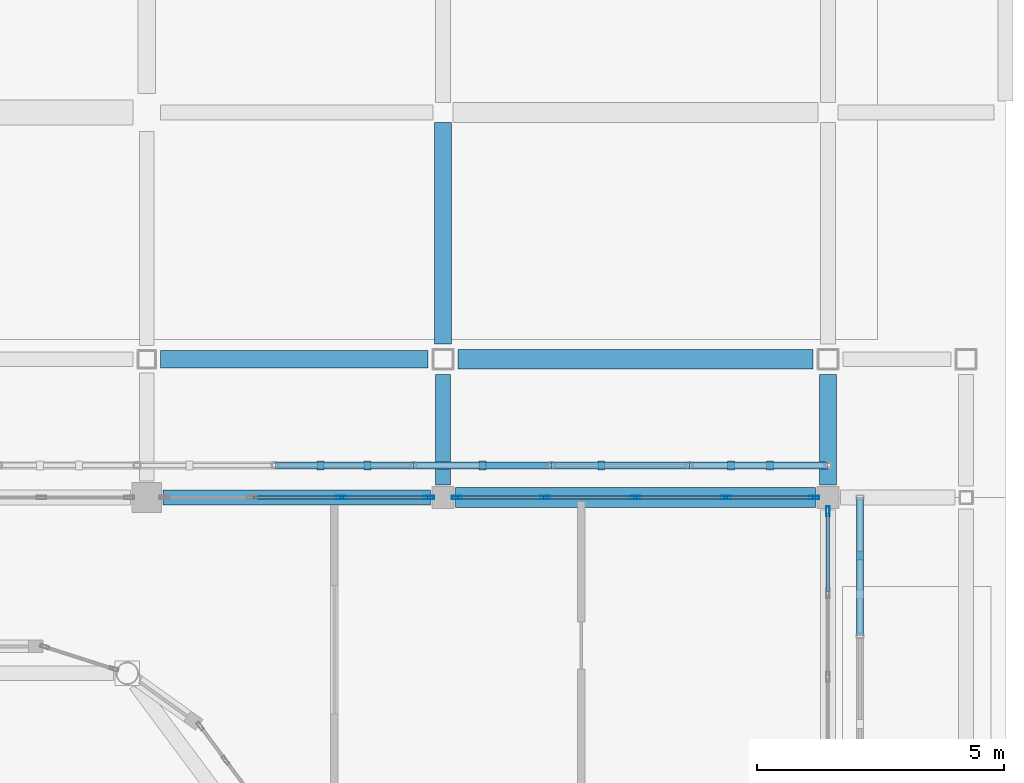
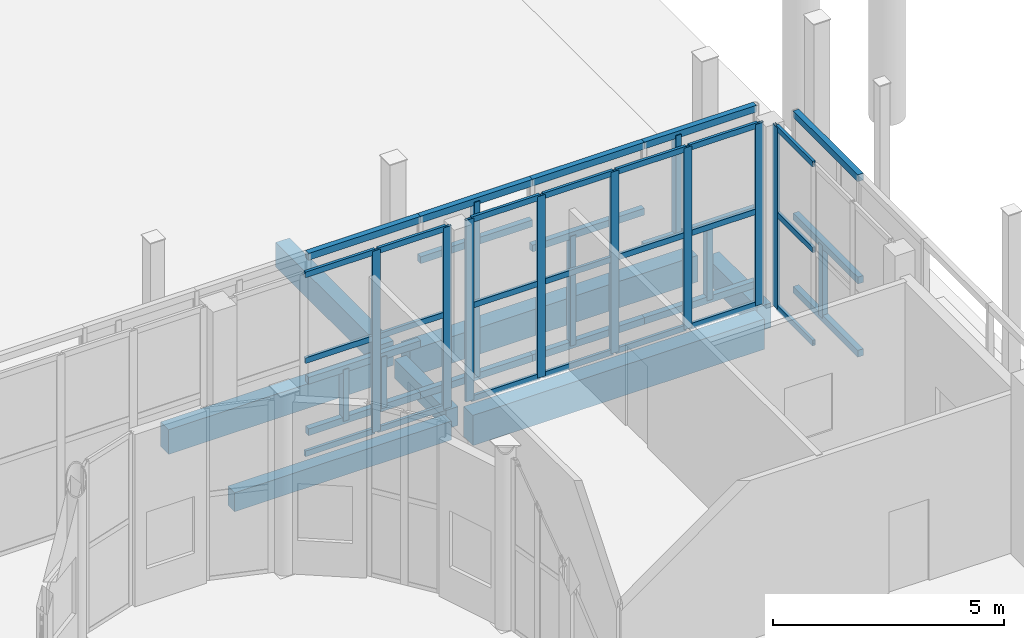
# One storey, part 48 of 91: 51 members, 7 beams, 3 elements without a shape of their own.
"""IFC4 building model written with IfcOpenShell, lengths in metres."""

from ifc_helpers import new_model, si_unit, direction, frame, origin, origin_2d, place, context, subcontext, project, spatial, rectangle, hollow_rectangle, extrude, material, layer, layer_set, material_profile, profile_set, type_object, element, aggregate, save


model = new_model("IFC4")

# Units and contexts
model_context = context("Model", 3, precision=1e-05, world=origin(), true_north=direction((0.0, 1.0)))
body_context = subcontext(model_context, "Body", "Model", "MODEL_VIEW")
ifc_project = project(units=[si_unit("LENGTHUNIT", "METRE"), si_unit("AREAUNIT", "SQUARE_METRE"), si_unit("VOLUMEUNIT", "CUBIC_METRE"), si_unit("PLANEANGLEUNIT", "RADIAN"), si_unit("MASSUNIT", "GRAM", prefix="KILO")], contexts=[model_context])

# Site, building, storey
site_placement = place(None, origin())
site = spatial("IfcSite", under=ifc_project, at=site_placement, CompositionType="ELEMENT")
building_placement = place(site_placement, origin())
building = spatial("IfcBuilding", under=site, at=building_placement, Name="Vinh Khe Railworks Police Headquarters", CompositionType="ELEMENT")
storey_placement = place(building_placement, origin())
storey = spatial("IfcBuildingStorey", under=building, at=storey_placement, Name="L00", CompositionType="ELEMENT", Elevation=0.0)

# Members
ifc_material_1 = material(Name="Salvaged ironwood timber", Category="wood")
ifc_material_profile_1 = material_profile(ifc_material_1, rectangle(XDim=0.139892578125, YDim=0.179931640625, at=origin_2d()), Name="TIMBER 140x180")
ifc_profile_set_1 = profile_set([ifc_material_profile_1], Name="Salvaged ironwood timber")
member_type_1 = type_object("IfcMemberType", Name="MEM-QUILT-STILE", PredefinedType="CHORD", material=ifc_profile_set_1)
for number, where, z_axis, x_axis, name in (
    (1, (48.800048828125, 59.449951171875, 4.719970703125), (1.0, 0.0, 0.0), (0.0, 1.0, 0.0), "Salvaged Timber Quilt Transom N-L00-08-TOP"),
    (2, (48.800048828125, 59.449951171875, 0.080078125), (1.0, 0.0, 0.0), (0.0, 1.0, 0.0), "Salvaged Timber Quilt Transom N-L00-08-BOT"),
    (3, (48.800048828125, 59.449951171875, 1.43994140625), (1.0, 0.0, 0.0), (0.0, 1.0, 0.0), "Salvaged Timber Quilt Transom N-L00-08-M1"),
):
    element("IfcMember", number, at=place(storey_placement, frame(where, z_axis=z_axis, x_axis=x_axis)), inside=storey, type_object=member_type_1, Name=name, PredefinedType="CHORD", context=body_context, shape_type="SweptSolid", body=[
        extrude(rectangle(XDim=0.139892578125, YDim=0.179931640625, at=origin_2d()), origin(), (0.0, 0.0, 1.0), 2.800048828125),
    ])
for number, where, z_axis, x_axis, name in (
    (4, (49.72412109375, 59.449951171875, 0.080078125), (0.0, 0.0, 1.0), (1.0, 0.0, 0.0), "Salvaged Timber Quilt Stile N-L00-08-V1"),
    (5, (50.676025390625, 59.449951171875, 0.080078125), (0.0, 0.0, 1.0), (1.0, 0.0, 0.0), "Salvaged Timber Quilt Stile N-L00-08-V2"),
):
    element("IfcMember", number, at=place(storey_placement, frame(where, z_axis=z_axis, x_axis=x_axis)), inside=storey, type_object=member_type_1, Name=name, PredefinedType="POST", context=body_context, shape_type="SweptSolid", body=[
        extrude(rectangle(XDim=0.139892578125, YDim=0.179931640625, at=origin_2d()), origin(), (0.0, 0.0, 1.0), 1.35986328125),
    ])
for number, where, z_axis, x_axis, name in (
    (6, (51.60009765625, 59.449951171875, 4.719970703125), (1.0, 0.0, 0.0), (0.0, 1.0, 0.0), "Salvaged Timber Quilt Transom N-L00-09-TOP"),
    (7, (51.60009765625, 59.449951171875, 0.080078125), (1.0, 0.0, 0.0), (0.0, 1.0, 0.0), "Salvaged Timber Quilt Transom N-L00-09-BOT"),
    (8, (51.60009765625, 59.449951171875, 3.64794921875), (1.0, 0.0, 0.0), (0.0, 1.0, 0.0), "Salvaged Timber Quilt Transom N-L00-09-M1"),
):
    element("IfcMember", number, at=place(storey_placement, frame(where, z_axis=z_axis, x_axis=x_axis)), inside=storey, type_object=member_type_1, Name=name, PredefinedType="CHORD", context=body_context, shape_type="SweptSolid", body=[
        extrude(rectangle(XDim=0.139892578125, YDim=0.179931640625, at=origin_2d()), origin(), (0.0, 0.0, 1.0), 2.7998046875),
    ])
member_1_placement = place(storey_placement, frame((53.0, 59.449951171875, 0.080078125), z_axis=(0.0, 0.0, 1.0), x_axis=(1.0, 0.0, 0.0)))
element("IfcMember", 9, at=member_1_placement, inside=storey, type_object=member_type_1, Name="Salvaged Timber Quilt Stile N-L00-09-V1", PredefinedType="POST", context=body_context, shape_type="SweptSolid", body=[
    extrude(rectangle(XDim=0.139892578125, YDim=0.179931640625, at=origin_2d()), origin(), (0.0, 0.0, 1.0), 4.639892578125),
])
for number, where, z_axis, x_axis, name in (
    (10, (54.39990234375, 59.449951171875, 4.719970703125), (1.0, 0.0, 0.0), (0.0, 1.0, 0.0), "Salvaged Timber Quilt Transom N-L00-10-TOP"),
    (11, (54.39990234375, 59.449951171875, 0.080078125), (1.0, 0.0, 0.0), (0.0, 1.0, 0.0), "Salvaged Timber Quilt Transom N-L00-10-BOT"),
    (12, (54.39990234375, 59.449951171875, 2.97607421875), (1.0, 0.0, 0.0), (0.0, 1.0, 0.0), "Salvaged Timber Quilt Transom N-L00-10-M1"),
):
    element("IfcMember", number, at=place(storey_placement, frame(where, z_axis=z_axis, x_axis=x_axis)), inside=storey, type_object=member_type_1, Name=name, PredefinedType="CHORD", context=body_context, shape_type="SweptSolid", body=[
        extrude(rectangle(XDim=0.139892578125, YDim=0.179931640625, at=origin_2d()), origin(), (0.0, 0.0, 1.0), 2.800048828125),
    ])
member_2_placement = place(storey_placement, frame((55.407958984375, 59.449951171875, 0.080078125), z_axis=(0.0, 0.0, 1.0), x_axis=(1.0, 0.0, 0.0)))
element("IfcMember", 13, at=member_2_placement, inside=storey, type_object=member_type_1, Name="Salvaged Timber Quilt Stile N-L00-10-V1", PredefinedType="POST", context=body_context, shape_type="SweptSolid", body=[
    extrude(rectangle(XDim=0.139892578125, YDim=0.179931640625, at=origin_2d()), origin(), (0.0, 0.0, 1.0), 2.89599609375),
])
for number, where, z_axis, x_axis, name in (
    (14, (57.199951171875, 59.449951171875, 4.719970703125), (1.0, 0.0, 0.0), (0.0, 1.0, 0.0), "Salvaged Timber Quilt Transom N-L00-11-TOP"),
    (15, (57.199951171875, 59.449951171875, 0.080078125), (1.0, 0.0, 0.0), (0.0, 1.0, 0.0), "Salvaged Timber Quilt Transom N-L00-11-BOT"),
    (16, (57.199951171875, 59.449951171875, 2.01611328125), (1.0, 0.0, 0.0), (0.0, 1.0, 0.0), "Salvaged Timber Quilt Transom N-L00-11-M1"),
):
    element("IfcMember", number, at=place(storey_placement, frame(where, z_axis=z_axis, x_axis=x_axis)), inside=storey, type_object=member_type_1, Name=name, PredefinedType="CHORD", context=body_context, shape_type="SweptSolid", body=[
        extrude(rectangle(XDim=0.139892578125, YDim=0.179931640625, at=origin_2d()), origin(), (0.0, 0.0, 1.0), 2.800048828125),
    ])
member_3_placement = place(storey_placement, frame((58.823974609375, 59.449951171875, 0.080078125), z_axis=(0.0, 0.0, 1.0), x_axis=(1.0, 0.0, 0.0)))
element("IfcMember", 17, at=member_3_placement, inside=storey, type_object=member_type_1, Name="Salvaged Timber Quilt Stile N-L00-11-V1", PredefinedType="POST", context=body_context, shape_type="SweptSolid", body=[
    extrude(rectangle(XDim=0.139892578125, YDim=0.179931640625, at=origin_2d()), origin(), (0.0, 0.0, 1.0), 1.93603515625),
])
member_4_placement = place(storey_placement, frame((58.0400390625, 59.449951171875, 2.01611328125), z_axis=(0.0, 0.0, 1.0), x_axis=(1.0, 0.0, 0.0)))
element("IfcMember", 18, at=member_4_placement, inside=storey, type_object=member_type_1, Name="Salvaged Timber Quilt Stile N-L00-11-V2", PredefinedType="POST", context=body_context, shape_type="SweptSolid", body=[
    extrude(rectangle(XDim=0.139892578125, YDim=0.179931640625, at=origin_2d()), origin(), (0.0, 0.0, 1.0), 2.703857421875),
])
for number, where, z_axis, x_axis, name in (
    (19, (60.64990234375, 56.0, 4.719970703125), (0.0, 1.0, 0.0), (-1.0, 0.0, 0.0), "Salvaged Timber Quilt Transom E-L00-11-TOP"),
    (20, (60.64990234375, 56.0, 0.080078125), (0.0, 1.0, 0.0), (-1.0, 0.0, 0.0), "Salvaged Timber Quilt Transom E-L00-11-BOT"),
    (21, (60.64990234375, 56.0, 2.01611328125), (0.0, 1.0, 0.0), (-1.0, 0.0, 0.0), "Salvaged Timber Quilt Transom E-L00-11-M1"),
):
    element("IfcMember", number, at=place(storey_placement, frame(where, z_axis=z_axis, x_axis=x_axis)), inside=storey, type_object=member_type_1, Name=name, PredefinedType="CHORD", context=body_context, shape_type="SweptSolid", body=[
        extrude(rectangle(XDim=0.139892578125, YDim=0.179931640625, at=origin_2d()), origin(), (0.0, 0.0, 1.0), 2.800048828125),
    ])
member_5_placement = place(storey_placement, frame((60.64990234375, 57.6240234375, 0.080078125), z_axis=(0.0, 0.0, 1.0), x_axis=(1.0, 0.0, 0.0)))
element("IfcMember", 22, at=member_5_placement, inside=storey, type_object=member_type_1, Name="Salvaged Timber Quilt Stile E-L00-11-V1", PredefinedType="POST", context=body_context, shape_type="SweptSolid", body=[
    extrude(rectangle(XDim=0.139892578125, YDim=0.179931640625, at=origin_2d()), origin(), (0.0, 0.0, 1.0), 1.93603515625),
])

# Curtain wall, members
ifc_material_2 = material(Name="Anodised aluminium and low-iron glass", Category="aluminium")
ifc_layer = layer(ifc_material_2, 0.179931640625)
ifc_layer_set = layer_set([ifc_layer], Name="Anodised aluminium and low-iron glass")
curtain_wall_type = type_object("IfcCurtainWallType", Name="CW-CUBE-UNIT", PredefinedType="USERDEFINED", material=ifc_layer_set)
curtain_wall_1_placement = place(storey_placement, origin())
curtain_wall_1 = element("IfcCurtainWall", 23, at=curtain_wall_1_placement, inside=storey, type_object=curtain_wall_type, Name="Entrance Hall Curtain Wall L00 N-4", ObjectType="UNITISED GLAZING", PredefinedType="USERDEFINED")
ifc_material_3 = material(Name="Anodised aluminium 6063-T6", Category="aluminium")
ifc_material_profile_2 = material_profile(ifc_material_3, hollow_rectangle(XDim=0.070068359375, YDim=0.199951171875, WallThickness=0.0048828125, at=origin_2d()), Name="CW-M 70x200x5")
ifc_profile_set_2 = profile_set([ifc_material_profile_2], Name="Anodised aluminium 6063-T6")
member_type_2 = type_object("IfcMemberType", Name="MULL-CWM-03", PredefinedType="MULLION", material=ifc_profile_set_2)
member_6_placement = place(storey_placement, frame((50.143310546875, 58.800048828125, 0.0), z_axis=(0.0, 0.0, 1.0), x_axis=(0.0, 1.0, 0.0)))
member_6 = element("IfcMember", 24, at=member_6_placement, type_object=member_type_2, Name="CW-01 mullion 3", PredefinedType="MULLION", context=body_context, shape_type="SweptSolid", body=[
    extrude(hollow_rectangle(XDim=0.070068359375, YDim=0.199951171875, WallThickness=0.0048828125, at=origin_2d()), origin(), (0.0, 0.0, 1.0), 4.800048828125),
])
member_7_placement = place(storey_placement, frame((51.919921875, 58.800048828125, 0.0), z_axis=(0.0, 0.0, 1.0), x_axis=(0.0, 1.0, 0.0)))
member_7 = element("IfcMember", 25, at=member_7_placement, type_object=member_type_2, Name="CW-01 mullion 4", PredefinedType="MULLION", context=body_context, shape_type="SweptSolid", body=[
    extrude(hollow_rectangle(XDim=0.070068359375, YDim=0.199951171875, WallThickness=0.0048828125, at=origin_2d()), origin(), (0.0, 0.0, 1.0), 4.800048828125),
])

curtain_wall_2_placement = place(storey_placement, origin())
curtain_wall_2 = element("IfcCurtainWall", 26, at=curtain_wall_2_placement, inside=storey, type_object=curtain_wall_type, Name="Entrance Hall Curtain Wall L00 N-5", ObjectType="UNITISED GLAZING", PredefinedType="USERDEFINED")
member_8_placement = place(storey_placement, frame((52.47998046875, 58.800048828125, 0.0), z_axis=(0.0, 0.0, 1.0), x_axis=(0.0, 1.0, 0.0)))
member_8 = element("IfcMember", 27, at=member_8_placement, type_object=member_type_2, Name="CW-01 mullion 1", PredefinedType="MULLION", context=body_context, shape_type="SweptSolid", body=[
    extrude(hollow_rectangle(XDim=0.070068359375, YDim=0.199951171875, WallThickness=0.0048828125, at=origin_2d()), origin(), (0.0, 0.0, 1.0), 4.800048828125),
])
member_9_placement = place(storey_placement, frame((54.2724609375, 58.800048828125, 0.0), z_axis=(0.0, 0.0, 1.0), x_axis=(0.0, 1.0, 0.0)))
member_9 = element("IfcMember", 28, at=member_9_placement, type_object=member_type_2, Name="CW-01 mullion 2", PredefinedType="MULLION", context=body_context, shape_type="SweptSolid", body=[
    extrude(hollow_rectangle(XDim=0.070068359375, YDim=0.199951171875, WallThickness=0.0048828125, at=origin_2d()), origin(), (0.0, 0.0, 1.0), 4.800048828125),
])
member_10_placement = place(storey_placement, frame((56.10009765625, 58.800048828125, 0.0), z_axis=(0.0, 0.0, 1.0), x_axis=(0.0, 1.0, 0.0)))
member_10 = element("IfcMember", 29, at=member_10_placement, type_object=member_type_2, Name="CW-01 mullion 3", PredefinedType="MULLION", context=body_context, shape_type="SweptSolid", body=[
    extrude(hollow_rectangle(XDim=0.070068359375, YDim=0.199951171875, WallThickness=0.0048828125, at=origin_2d()), origin(), (0.0, 0.0, 1.0), 4.800048828125),
])
member_11_placement = place(storey_placement, frame((57.927490234375, 58.800048828125, 0.0), z_axis=(0.0, 0.0, 1.0), x_axis=(0.0, 1.0, 0.0)))
member_11 = element("IfcMember", 30, at=member_11_placement, type_object=member_type_2, Name="CW-01 mullion 4", PredefinedType="MULLION", context=body_context, shape_type="SweptSolid", body=[
    extrude(hollow_rectangle(XDim=0.070068359375, YDim=0.199951171875, WallThickness=0.0048828125, at=origin_2d()), origin(), (0.0, 0.0, 1.0), 4.800048828125),
])
member_12_placement = place(storey_placement, frame((59.719970703125, 58.800048828125, 0.0), z_axis=(0.0, 0.0, 1.0), x_axis=(0.0, 1.0, 0.0)))
member_12 = element("IfcMember", 31, at=member_12_placement, type_object=member_type_2, Name="CW-01 mullion 5", PredefinedType="MULLION", context=body_context, shape_type="SweptSolid", body=[
    extrude(hollow_rectangle(XDim=0.070068359375, YDim=0.199951171875, WallThickness=0.0048828125, at=origin_2d()), origin(), (0.0, 0.0, 1.0), 4.800048828125),
])

# Curtain wall, member
curtain_wall_3_placement = place(storey_placement, origin())
curtain_wall_3 = element("IfcCurtainWall", 32, at=curtain_wall_3_placement, inside=storey, type_object=curtain_wall_type, Name="Entrance Hall Curtain Wall L00 E-6", ObjectType="UNITISED GLAZING", PredefinedType="USERDEFINED")
member_13_placement = place(storey_placement, frame((60.0, 58.52001953125, 0.0), z_axis=(0.0, 0.0, 1.0), x_axis=(-1.0, 0.0, 0.0)))
member_13 = element("IfcMember", 33, at=member_13_placement, type_object=member_type_2, Name="CW-01 mullion 4", PredefinedType="MULLION", context=body_context, shape_type="SweptSolid", body=[
    extrude(hollow_rectangle(XDim=0.070068359375, YDim=0.199951171875, WallThickness=0.0048828125, at=origin_2d()), origin(), (0.0, 0.0, 1.0), 4.800048828125),
])

# Beams
ifc_material_4 = material(Name="Concrete C35/45 (B35)", Category="concrete")
ifc_material_profile_3 = material_profile(ifc_material_4, rectangle(XDim=0.300048828125, YDim=0.5, at=origin_2d()), Name="RC 300x500")
ifc_profile_set_3 = profile_set([ifc_material_profile_3], Name="Concrete C35/45 (B35)")
beam_type_1 = type_object("IfcBeamType", Name="RC Girder RC 300x500", PredefinedType="BEAM", material=ifc_profile_set_3)
beam_1_placement = place(storey_placement, frame((46.530029296875, 58.800048828125, -0.530029296875), z_axis=(1.0, 0.0, 0.0), x_axis=(0.0, 1.0, 0.0)))
element("IfcBeam", 34, at=beam_1_placement, inside=storey, type_object=beam_type_1, Name="Girder BM-L00-EW-RB-10-0081", PredefinedType="BEAM", context=body_context, shape_type="SweptSolid", body=[
    extrude(rectangle(XDim=0.300048828125, YDim=0.5, at=origin_2d()), origin(), (0.0, 0.0, 1.0), 5.4150390625),
])
beam_2_placement = place(storey_placement, frame((52.199951171875, 59.054931640625, -0.530029296875), z_axis=(0.0, 1.0, 0.0), x_axis=(-1.0, 0.0, 0.0)))
element("IfcBeam", 35, at=beam_2_placement, inside=storey, type_object=beam_type_1, Name="Girder BM-L00-NS-RB-10-0312", PredefinedType="BEAM", context=body_context, shape_type="SweptSolid", body=[
    extrude(rectangle(XDim=0.300048828125, YDim=0.5, at=origin_2d()), origin(), (0.0, 0.0, 1.0), 2.239990234375),
])
ifc_material_profile_4 = material_profile(ifc_material_4, rectangle(XDim=0.35009765625, YDim=0.64990234375, at=origin_2d()), Name="RC 350x650")
ifc_profile_set_4 = profile_set([ifc_material_profile_4], Name="Concrete C35/45 (B35)")
beam_type_2 = type_object("IfcBeamType", Name="RC Girder RC 350x650", PredefinedType="BEAM", material=ifc_profile_set_4)
beam_3_placement = place(storey_placement, frame((46.47998046875, 61.60009765625, -0.60498046875), z_axis=(1.0, 0.0, 0.0), x_axis=(0.0, 1.0, 0.0)))
element("IfcBeam", 36, at=beam_3_placement, inside=storey, type_object=beam_type_2, Name="Girder BM-L00-EW-RB-08-0088", PredefinedType="BEAM", context=body_context, shape_type="SweptSolid", body=[
    extrude(rectangle(XDim=0.35009765625, YDim=0.64990234375, at=origin_2d()), origin(), (0.0, 0.0, 1.0), 5.4150390625),
])
beam_4_placement = place(storey_placement, frame((52.199951171875, 61.905029296875, -0.60498046875), z_axis=(0.0, 1.0, 0.0), x_axis=(-1.0, 0.0, 0.0)))
element("IfcBeam", 37, at=beam_4_placement, inside=storey, type_object=beam_type_2, Name="Girder BM-L00-NS-RB-08-0313", PredefinedType="BEAM", context=body_context, shape_type="SweptSolid", body=[
    extrude(rectangle(XDim=0.35009765625, YDim=0.64990234375, at=origin_2d()), origin(), (0.0, 0.0, 1.0), 4.489990234375),
])
beam_5_placement = place(storey_placement, frame((60.0, 59.054931640625, -0.60498046875), z_axis=(0.0, 1.0, 0.0), x_axis=(-1.0, 0.0, 0.0)))
element("IfcBeam", 38, at=beam_5_placement, inside=storey, type_object=beam_type_2, Name="Girder BM-L00-NS-RB-08-0328", PredefinedType="BEAM", context=body_context, shape_type="SweptSolid", body=[
    extrude(rectangle(XDim=0.35009765625, YDim=0.64990234375, at=origin_2d()), origin(), (0.0, 0.0, 1.0), 2.239990234375),
])
ifc_material_profile_5 = material_profile(ifc_material_4, rectangle(XDim=0.39990234375, YDim=0.699951171875, at=origin_2d()), Name="RC 400x700")
ifc_profile_set_5 = profile_set([ifc_material_profile_5], Name="Concrete C35/45 (B35)")
beam_type_3 = type_object("IfcBeamType", Name="RC Girder RC 400x700", PredefinedType="BEAM", material=ifc_profile_set_5)
beam_6_placement = place(storey_placement, frame((52.5048828125, 61.60009765625, -0.6298828125), z_axis=(1.0, 0.0, 0.0), x_axis=(0.0, 1.0, 0.0)))
element("IfcBeam", 39, at=beam_6_placement, inside=storey, type_object=beam_type_3, Name="Girder BM-L00-EW-RB-07-0089", PredefinedType="BEAM", context=body_context, shape_type="SweptSolid", body=[
    extrude(rectangle(XDim=0.39990234375, YDim=0.699951171875, at=origin_2d()), origin(), (0.0, 0.0, 1.0), 7.190185546875),
])
ifc_material_profile_6 = material_profile(ifc_material_4, rectangle(XDim=0.39990234375, YDim=0.800048828125, at=origin_2d()), Name="RC 400x800")
ifc_profile_set_6 = profile_set([ifc_material_profile_6], Name="Concrete C35/45 (B35)")
beam_type_4 = type_object("IfcBeamType", Name="RC Girder RC 400x800", PredefinedType="BEAM", material=ifc_profile_set_6)
beam_7_placement = place(storey_placement, frame((52.455078125, 58.800048828125, -0.679931640625), z_axis=(1.0, 0.0, 0.0), x_axis=(0.0, 1.0, 0.0)))
element("IfcBeam", 40, at=beam_7_placement, inside=storey, type_object=beam_type_4, Name="Girder BM-L00-EW-RB-06-0082", PredefinedType="BEAM", context=body_context, shape_type="SweptSolid", body=[
    extrude(rectangle(XDim=0.39990234375, YDim=0.800048828125, at=origin_2d()), origin(), (0.0, 0.0, 1.0), 7.2900390625),
])

# Member
ifc_material_profile_7 = material_profile(ifc_material_3, hollow_rectangle(XDim=0.070068359375, YDim=0.14990234375, WallThickness=0.0048828125, at=origin_2d()), Name="CW-T 70x150x5")
ifc_profile_set_7 = profile_set([ifc_material_profile_7], Name="Anodised aluminium 6063-T6")
member_type_3 = type_object("IfcMemberType", Name="TRAN-CWT-03", PredefinedType="USERDEFINED", material=ifc_profile_set_7)
member_14_placement = place(storey_placement, frame((48.36669921875, 58.800048828125, 0.034912109375), z_axis=(1.0, 0.0, 0.0), x_axis=(0.0, 1.0, 0.0)))
member_14 = element("IfcMember", 41, at=member_14_placement, type_object=member_type_3, Name="CW-01 transom 2.1", ObjectType="TRANSOM", PredefinedType="USERDEFINED", context=body_context, shape_type="SweptSolid", body=[
    extrude(hollow_rectangle(XDim=0.070068359375, YDim=0.14990234375, WallThickness=0.0048828125, at=origin_2d()), origin(), (0.0, 0.0, 1.0), 1.74169921875),
])

member_15_placement = place(storey_placement, frame((48.36669921875, 58.800048828125, 2.49609375), z_axis=(1.0, 0.0, 0.0), x_axis=(0.0, 1.0, 0.0)))
member_15 = element("IfcMember", 42, at=member_15_placement, type_object=member_type_3, Name="CW-01 transom 2.2", ObjectType="TRANSOM", PredefinedType="USERDEFINED", context=body_context, shape_type="SweptSolid", body=[
    extrude(hollow_rectangle(XDim=0.070068359375, YDim=0.14990234375, WallThickness=0.0048828125, at=origin_2d()), origin(), (0.0, 0.0, 1.0), 1.74169921875),
])

member_16_placement = place(storey_placement, frame((48.36669921875, 58.800048828125, 4.764892578125), z_axis=(1.0, 0.0, 0.0), x_axis=(0.0, 1.0, 0.0)))
member_16 = element("IfcMember", 43, at=member_16_placement, type_object=member_type_3, Name="CW-01 transom 2.3", ObjectType="TRANSOM", PredefinedType="USERDEFINED", context=body_context, shape_type="SweptSolid", body=[
    extrude(hollow_rectangle(XDim=0.070068359375, YDim=0.14990234375, WallThickness=0.0048828125, at=origin_2d()), origin(), (0.0, 0.0, 1.0), 1.74169921875),
])

member_17_placement = place(storey_placement, frame((50.17822265625, 58.800048828125, 0.034912109375), z_axis=(1.0, 0.0, 0.0), x_axis=(0.0, 1.0, 0.0)))
member_17 = element("IfcMember", 44, at=member_17_placement, type_object=member_type_3, Name="CW-01 transom 3.1", ObjectType="TRANSOM", PredefinedType="USERDEFINED", context=body_context, shape_type="SweptSolid", body=[
    extrude(hollow_rectangle(XDim=0.070068359375, YDim=0.14990234375, WallThickness=0.0048828125, at=origin_2d()), origin(), (0.0, 0.0, 1.0), 1.706787109375),
])

member_18_placement = place(storey_placement, frame((50.17822265625, 58.800048828125, 2.49609375), z_axis=(1.0, 0.0, 0.0), x_axis=(0.0, 1.0, 0.0)))
member_18 = element("IfcMember", 45, at=member_18_placement, type_object=member_type_3, Name="CW-01 transom 3.2", ObjectType="TRANSOM", PredefinedType="USERDEFINED", context=body_context, shape_type="SweptSolid", body=[
    extrude(hollow_rectangle(XDim=0.070068359375, YDim=0.14990234375, WallThickness=0.0048828125, at=origin_2d()), origin(), (0.0, 0.0, 1.0), 1.706787109375),
])

member_19_placement = place(storey_placement, frame((50.17822265625, 58.800048828125, 4.764892578125), z_axis=(1.0, 0.0, 0.0), x_axis=(0.0, 1.0, 0.0)))
member_19 = element("IfcMember", 46, at=member_19_placement, type_object=member_type_3, Name="CW-01 transom 3.3", ObjectType="TRANSOM", PredefinedType="USERDEFINED", context=body_context, shape_type="SweptSolid", body=[
    extrude(hollow_rectangle(XDim=0.070068359375, YDim=0.14990234375, WallThickness=0.0048828125, at=origin_2d()), origin(), (0.0, 0.0, 1.0), 1.706787109375),
])

aggregate(curtain_wall_1, [member_6, member_7, member_14, member_15, member_16, member_17, member_18, member_19])

member_20_placement = place(storey_placement, frame((52.514892578125, 58.800048828125, 0.034912109375), z_axis=(1.0, 0.0, 0.0), x_axis=(0.0, 1.0, 0.0)))
member_20 = element("IfcMember", 47, at=member_20_placement, type_object=member_type_3, Name="CW-01 transom 1.1", ObjectType="TRANSOM", PredefinedType="USERDEFINED", context=body_context, shape_type="SweptSolid", body=[
    extrude(hollow_rectangle(XDim=0.070068359375, YDim=0.14990234375, WallThickness=0.0048828125, at=origin_2d()), origin(), (0.0, 0.0, 1.0), 1.72265625),
])

member_21_placement = place(storey_placement, frame((52.514892578125, 58.800048828125, 2.49609375), z_axis=(1.0, 0.0, 0.0), x_axis=(0.0, 1.0, 0.0)))
member_21 = element("IfcMember", 48, at=member_21_placement, type_object=member_type_3, Name="CW-01 transom 1.2", ObjectType="TRANSOM", PredefinedType="USERDEFINED", context=body_context, shape_type="SweptSolid", body=[
    extrude(hollow_rectangle(XDim=0.070068359375, YDim=0.14990234375, WallThickness=0.0048828125, at=origin_2d()), origin(), (0.0, 0.0, 1.0), 1.72265625),
])

member_22_placement = place(storey_placement, frame((52.514892578125, 58.800048828125, 4.764892578125), z_axis=(1.0, 0.0, 0.0), x_axis=(0.0, 1.0, 0.0)))
member_22 = element("IfcMember", 49, at=member_22_placement, type_object=member_type_3, Name="CW-01 transom 1.3", ObjectType="TRANSOM", PredefinedType="USERDEFINED", context=body_context, shape_type="SweptSolid", body=[
    extrude(hollow_rectangle(XDim=0.070068359375, YDim=0.14990234375, WallThickness=0.0048828125, at=origin_2d()), origin(), (0.0, 0.0, 1.0), 1.72265625),
])

member_23_placement = place(storey_placement, frame((54.3076171875, 58.800048828125, 0.034912109375), z_axis=(1.0, 0.0, 0.0), x_axis=(0.0, 1.0, 0.0)))
member_23 = element("IfcMember", 50, at=member_23_placement, type_object=member_type_3, Name="CW-01 transom 2.1", ObjectType="TRANSOM", PredefinedType="USERDEFINED", context=body_context, shape_type="SweptSolid", body=[
    extrude(hollow_rectangle(XDim=0.070068359375, YDim=0.14990234375, WallThickness=0.0048828125, at=origin_2d()), origin(), (0.0, 0.0, 1.0), 1.75732421875),
])

member_24_placement = place(storey_placement, frame((54.3076171875, 58.800048828125, 2.49609375), z_axis=(1.0, 0.0, 0.0), x_axis=(0.0, 1.0, 0.0)))
member_24 = element("IfcMember", 51, at=member_24_placement, type_object=member_type_3, Name="CW-01 transom 2.2", ObjectType="TRANSOM", PredefinedType="USERDEFINED", context=body_context, shape_type="SweptSolid", body=[
    extrude(hollow_rectangle(XDim=0.070068359375, YDim=0.14990234375, WallThickness=0.0048828125, at=origin_2d()), origin(), (0.0, 0.0, 1.0), 1.75732421875),
])

member_25_placement = place(storey_placement, frame((54.3076171875, 58.800048828125, 4.764892578125), z_axis=(1.0, 0.0, 0.0), x_axis=(0.0, 1.0, 0.0)))
member_25 = element("IfcMember", 52, at=member_25_placement, type_object=member_type_3, Name="CW-01 transom 2.3", ObjectType="TRANSOM", PredefinedType="USERDEFINED", context=body_context, shape_type="SweptSolid", body=[
    extrude(hollow_rectangle(XDim=0.070068359375, YDim=0.14990234375, WallThickness=0.0048828125, at=origin_2d()), origin(), (0.0, 0.0, 1.0), 1.75732421875),
])

member_26_placement = place(storey_placement, frame((56.135009765625, 58.800048828125, 0.034912109375), z_axis=(1.0, 0.0, 0.0), x_axis=(0.0, 1.0, 0.0)))
member_26 = element("IfcMember", 53, at=member_26_placement, type_object=member_type_3, Name="CW-01 transom 3.1", ObjectType="TRANSOM", PredefinedType="USERDEFINED", context=body_context, shape_type="SweptSolid", body=[
    extrude(hollow_rectangle(XDim=0.070068359375, YDim=0.14990234375, WallThickness=0.0048828125, at=origin_2d()), origin(), (0.0, 0.0, 1.0), 1.757568359375),
])

member_27_placement = place(storey_placement, frame((56.135009765625, 58.800048828125, 2.49609375), z_axis=(1.0, 0.0, 0.0), x_axis=(0.0, 1.0, 0.0)))
member_27 = element("IfcMember", 54, at=member_27_placement, type_object=member_type_3, Name="CW-01 transom 3.2", ObjectType="TRANSOM", PredefinedType="USERDEFINED", context=body_context, shape_type="SweptSolid", body=[
    extrude(hollow_rectangle(XDim=0.070068359375, YDim=0.14990234375, WallThickness=0.0048828125, at=origin_2d()), origin(), (0.0, 0.0, 1.0), 1.757568359375),
])

member_28_placement = place(storey_placement, frame((56.135009765625, 58.800048828125, 4.764892578125), z_axis=(1.0, 0.0, 0.0), x_axis=(0.0, 1.0, 0.0)))
member_28 = element("IfcMember", 55, at=member_28_placement, type_object=member_type_3, Name="CW-01 transom 3.3", ObjectType="TRANSOM", PredefinedType="USERDEFINED", context=body_context, shape_type="SweptSolid", body=[
    extrude(hollow_rectangle(XDim=0.070068359375, YDim=0.14990234375, WallThickness=0.0048828125, at=origin_2d()), origin(), (0.0, 0.0, 1.0), 1.757568359375),
])

member_29_placement = place(storey_placement, frame((57.96240234375, 58.800048828125, 0.034912109375), z_axis=(1.0, 0.0, 0.0), x_axis=(0.0, 1.0, 0.0)))
member_29 = element("IfcMember", 56, at=member_29_placement, type_object=member_type_3, Name="CW-01 transom 4.1", ObjectType="TRANSOM", PredefinedType="USERDEFINED", context=body_context, shape_type="SweptSolid", body=[
    extrude(hollow_rectangle(XDim=0.070068359375, YDim=0.14990234375, WallThickness=0.0048828125, at=origin_2d()), origin(), (0.0, 0.0, 1.0), 1.72265625),
])

member_30_placement = place(storey_placement, frame((57.96240234375, 58.800048828125, 2.49609375), z_axis=(1.0, 0.0, 0.0), x_axis=(0.0, 1.0, 0.0)))
member_30 = element("IfcMember", 57, at=member_30_placement, type_object=member_type_3, Name="CW-01 transom 4.2", ObjectType="TRANSOM", PredefinedType="USERDEFINED", context=body_context, shape_type="SweptSolid", body=[
    extrude(hollow_rectangle(XDim=0.070068359375, YDim=0.14990234375, WallThickness=0.0048828125, at=origin_2d()), origin(), (0.0, 0.0, 1.0), 1.72265625),
])

member_31_placement = place(storey_placement, frame((57.96240234375, 58.800048828125, 4.764892578125), z_axis=(1.0, 0.0, 0.0), x_axis=(0.0, 1.0, 0.0)))
member_31 = element("IfcMember", 58, at=member_31_placement, type_object=member_type_3, Name="CW-01 transom 4.3", ObjectType="TRANSOM", PredefinedType="USERDEFINED", context=body_context, shape_type="SweptSolid", body=[
    extrude(hollow_rectangle(XDim=0.070068359375, YDim=0.14990234375, WallThickness=0.0048828125, at=origin_2d()), origin(), (0.0, 0.0, 1.0), 1.72265625),
])

aggregate(curtain_wall_2, [member_8, member_9, member_10, member_11, member_12, member_20, member_21, member_22, member_23, member_24, member_25, member_26, member_27, member_28, member_29, member_30, member_31])

member_32_placement = place(storey_placement, frame((60.0, 56.89501953125, 0.034912109375), z_axis=(0.0, 1.0, 0.0), x_axis=(-1.0, 0.0, 0.0)))
member_32 = element("IfcMember", 59, at=member_32_placement, type_object=member_type_3, Name="CW-01 transom 3.1", ObjectType="TRANSOM", PredefinedType="USERDEFINED", context=body_context, shape_type="SweptSolid", body=[
    extrude(hollow_rectangle(XDim=0.070068359375, YDim=0.14990234375, WallThickness=0.0048828125, at=origin_2d()), origin(), (0.0, 0.0, 1.0), 1.590087890625),
])

member_33_placement = place(storey_placement, frame((60.0, 56.89501953125, 2.49609375), z_axis=(0.0, 1.0, 0.0), x_axis=(-1.0, 0.0, 0.0)))
member_33 = element("IfcMember", 60, at=member_33_placement, type_object=member_type_3, Name="CW-01 transom 3.2", ObjectType="TRANSOM", PredefinedType="USERDEFINED", context=body_context, shape_type="SweptSolid", body=[
    extrude(hollow_rectangle(XDim=0.070068359375, YDim=0.14990234375, WallThickness=0.0048828125, at=origin_2d()), origin(), (0.0, 0.0, 1.0), 1.590087890625),
])

member_34_placement = place(storey_placement, frame((60.0, 56.89501953125, 4.764892578125), z_axis=(0.0, 1.0, 0.0), x_axis=(-1.0, 0.0, 0.0)))
member_34 = element("IfcMember", 61, at=member_34_placement, type_object=member_type_3, Name="CW-01 transom 3.3", ObjectType="TRANSOM", PredefinedType="USERDEFINED", context=body_context, shape_type="SweptSolid", body=[
    extrude(hollow_rectangle(XDim=0.070068359375, YDim=0.14990234375, WallThickness=0.0048828125, at=origin_2d()), origin(), (0.0, 0.0, 1.0), 1.590087890625),
])

aggregate(curtain_wall_3, [member_13, member_32, member_33, member_34])

save(model, "model.ifc")
